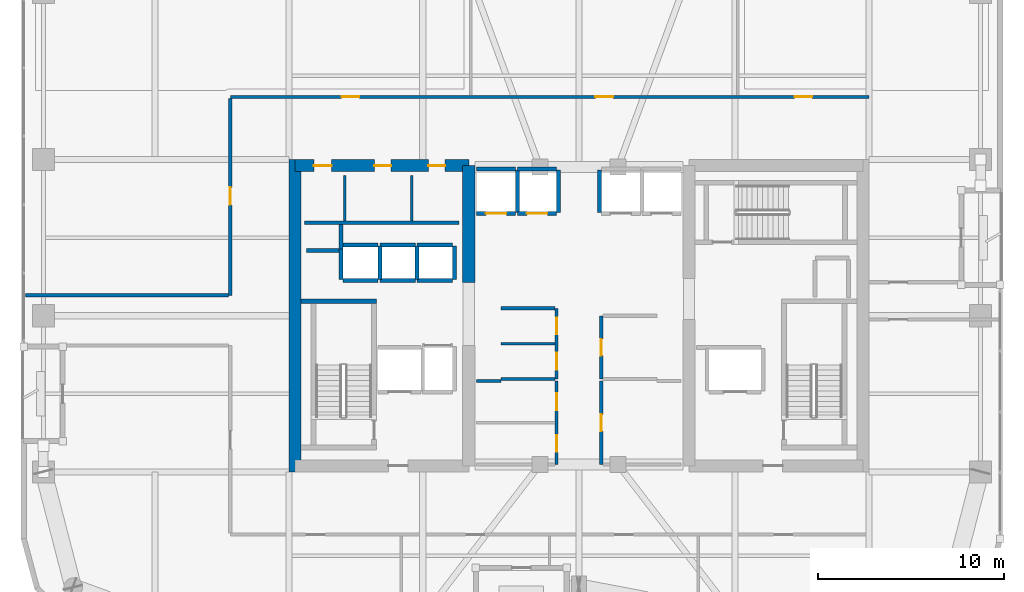
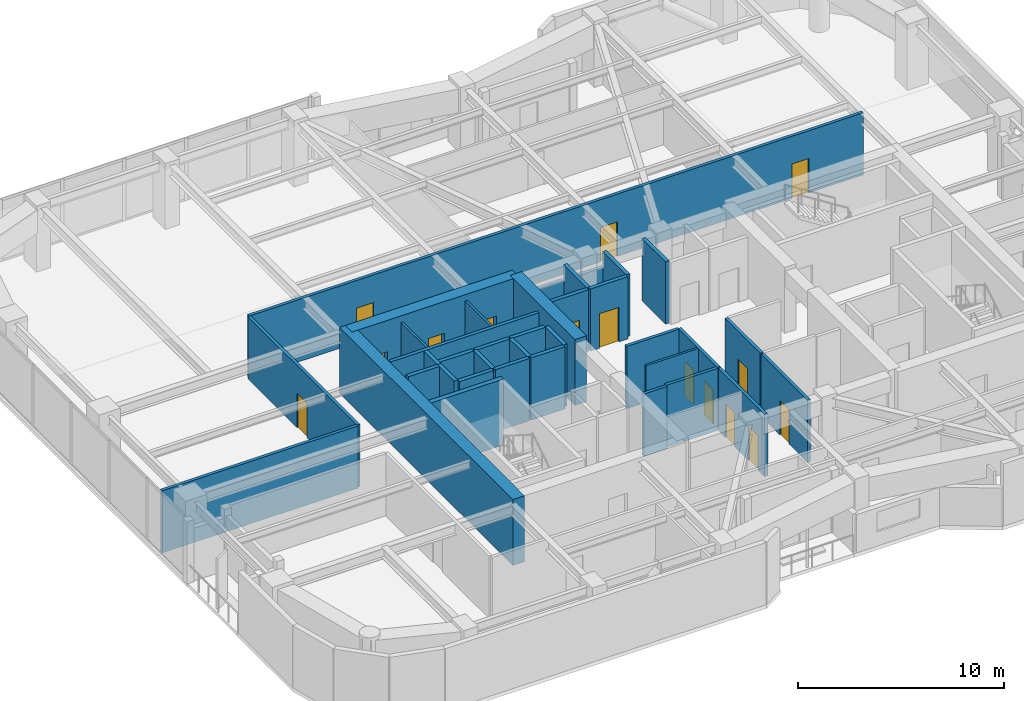
# One storey, part 25 of 30: 37 walls, 15 doors, 15 openings.
"""IFC4 building model written with IfcOpenShell, lengths in metres."""

from ifc_helpers import new_model, si_unit, direction, frame, frame_2d, origin, place, context, subcontext, project, spatial, rectangle, extrude, material, layer, layer_set, type_object, element, fill, save


model = new_model("IFC4")

# Units and contexts
model_context = context("Model", 3, precision=1e-05, world=origin(), true_north=direction((0.0, 1.0)))
body_context = subcontext(model_context, "Body", "Model", "MODEL_VIEW")
ifc_project = project(units=[si_unit("LENGTHUNIT", "METRE"), si_unit("AREAUNIT", "SQUARE_METRE"), si_unit("VOLUMEUNIT", "CUBIC_METRE"), si_unit("PLANEANGLEUNIT", "RADIAN"), si_unit("MASSUNIT", "GRAM", prefix="KILO")], contexts=[model_context])

# Site, building, storey
site_placement = place(None, origin())
site = spatial("IfcSite", under=ifc_project, at=site_placement, CompositionType="ELEMENT")
building_placement = place(site_placement, origin())
building = spatial("IfcBuilding", under=site, at=building_placement, Name="Kiyonajd Concourse Tower", CompositionType="ELEMENT")
storey_placement = place(building_placement, frame((0.0, 0.0, 198.0)))
storey = spatial("IfcBuildingStorey", under=building, at=storey_placement, Name="L50", CompositionType="ELEMENT", Elevation=198.0)

# Walls
ifc_material_1 = material(Name="Concrete C60/75", Category="concrete")
ifc_layer_1 = layer(ifc_material_1, 0.64990234375)
ifc_layer_set_1 = layer_set([ifc_layer_1], Name="Concrete C60/75")
wall_type_1 = type_object("IfcWallType", Name="WL-CORE-650", PredefinedType="SHEAR", material=ifc_layer_set_1)
wall_1_placement = place(storey_placement, frame((32.72509765625, 27.60009765625, 0.0), z_axis=(0.0, 0.0, 1.0), x_axis=(0.0, 1.0, 0.0)))
element("IfcWall", 1, at=wall_1_placement, inside=storey, type_object=wall_type_1, Name="L50 West Core Outer Shear Wall", PredefinedType="SHEAR", context=body_context, shape_type="SweptSolid", body=[
    extrude(rectangle(XDim=16.7998046875, YDim=0.64990234375, at=frame_2d((8.39990234375, 0.0))), origin(), (0.0, 0.0, 1.0), 3.89990234375),
])
wall_2_placement = place(storey_placement, frame((42.074951171875, 37.800048828125, 0.0), z_axis=(0.0, 0.0, 1.0), x_axis=(0.0, 1.0, 0.0)))
element("IfcWall", 2, at=wall_2_placement, inside=storey, type_object=wall_type_1, Name="L50 West Core Inner North Shear Wall", PredefinedType="SHEAR", context=body_context, shape_type="SweptSolid", body=[
    extrude(rectangle(XDim=6.27490234375, YDim=0.64990234375, at=frame_2d((3.137451171875, 0.0))), origin(), (0.0, 0.0, 1.0), 3.89990234375),
])

# Wall, openings, doors
wall_3_placement = place(storey_placement, frame((32.72509765625, 44.074951171875, 0.0), z_axis=(0.0, 0.0, 1.0), x_axis=(1.0, 0.0, 0.0)))
wall_3 = element("IfcWall", 3, at=wall_3_placement, inside=storey, type_object=wall_type_1, Name="L50 West Core North Shear Wall", PredefinedType="SHEAR", context=body_context, shape_type="SweptSolid", body=[
    extrude(rectangle(XDim=9.349853515625, YDim=0.64990234375, at=frame_2d((4.6748046875, 0.0))), origin(), (0.0, 0.0, 1.0), 3.89990234375),
])
opening_1_placement = place(wall_3_placement, frame((1.02490234375, 0.0, 0.0)))
opening_1 = element("IfcOpeningElement", 4, at=opening_1_placement, cuts=wall_3, Name="Opening DI1", PredefinedType="OPENING", context=body_context, shape_type="SweptSolid", body=[
    extrude(rectangle(XDim=0.949951171875, YDim=2.0400390625, at=frame_2d((0.47509765625, 1.02001953125))), frame((0.0, 0.3349609375, 0.0), z_axis=(0.0, -1.0, 0.0), x_axis=(1.0, 0.0, 0.0)), (0.0, 0.0, 1.0), 0.669921875),
])
opening_2_placement = place(wall_3_placement, frame((4.27490234375, 0.0, 0.0)))
opening_2 = element("IfcOpeningElement", 5, at=opening_2_placement, cuts=wall_3, Name="Opening DI2", PredefinedType="OPENING", context=body_context, shape_type="SweptSolid", body=[
    extrude(rectangle(XDim=0.89990234375, YDim=2.02001953125, at=frame_2d((0.449951171875, 1.010009765625))), frame((0.0, 0.3349609375, 0.0), z_axis=(0.0, -1.0, 0.0), x_axis=(1.0, 0.0, 0.0)), (0.0, 0.0, 1.0), 0.669921875),
])
opening_3_placement = place(wall_3_placement, frame((7.175048828125, 0.0, 0.0)))
opening_3 = element("IfcOpeningElement", 6, at=opening_3_placement, cuts=wall_3, Name="Opening DI2", PredefinedType="OPENING", context=body_context, shape_type="SweptSolid", body=[
    extrude(rectangle(XDim=0.89990234375, YDim=2.02001953125, at=frame_2d((0.449951171875, 1.010009765625))), frame((0.0, 0.3349609375, 0.0), z_axis=(0.0, -1.0, 0.0), x_axis=(1.0, 0.0, 0.0)), (0.0, 0.0, 1.0), 0.669921875),
])
ifc_material_2 = material(Name="Natural Oak Acoustic Timber Veneer", Category="wood")
door_type_1 = type_object("IfcDoorType", Name="DR-INT-900", OperationType="NOTDEFINED", PredefinedType="DOOR", material=ifc_material_2)
door_1_placement = place(opening_2_placement, origin())
door_1 = element("IfcDoor", 7, at=door_1_placement, inside=storey, type_object=door_type_1, Name="L50 Male Restroom Door", OperationType="SINGLE_SWING_RIGHT", OverallHeight=2.02001953125, OverallWidth=0.89990234375, PredefinedType="DOOR", context=body_context, shape_type="SweptSolid", body=[
    extrude(rectangle(XDim=0.89990234375, YDim=2.02001953125, at=frame_2d((0.449951171875, 1.010009765625))), frame((0.0, 0.02490234375, 0.0), z_axis=(0.0, -1.0, 0.0), x_axis=(1.0, 0.0, 0.0)), (0.0, 0.0, 1.0), 0.050048828125),
])
fill(opening_2, door_1)
door_2_placement = place(opening_3_placement, origin())
door_2 = element("IfcDoor", 8, at=door_2_placement, inside=storey, type_object=door_type_1, Name="L50 Female Restroom Door", OperationType="SINGLE_SWING_LEFT", OverallHeight=2.02001953125, OverallWidth=0.89990234375, PredefinedType="DOOR", context=body_context, shape_type="SweptSolid", body=[
    extrude(rectangle(XDim=0.89990234375, YDim=2.02001953125, at=frame_2d((0.449951171875, 1.010009765625))), frame((0.0, 0.02490234375, 0.0), z_axis=(0.0, -1.0, 0.0), x_axis=(1.0, 0.0, 0.0)), (0.0, 0.0, 1.0), 0.050048828125),
])
fill(opening_3, door_2)
door_type_2 = type_object("IfcDoorType", Name="DR-INT-950", OperationType="NOTDEFINED", PredefinedType="DOOR", material=ifc_material_2)
door_3_placement = place(opening_1_placement, origin())
door_3 = element("IfcDoor", 9, at=door_3_placement, inside=storey, type_object=door_type_2, Name="L50 Single User Accessible WC Door", OperationType="SINGLE_SWING_LEFT", OverallHeight=2.0400390625, OverallWidth=0.949951171875, PredefinedType="DOOR", context=body_context, shape_type="SweptSolid", body=[
    extrude(rectangle(XDim=0.949951171875, YDim=2.0400390625, at=frame_2d((0.47509765625, 1.02001953125))), frame((0.0, 0.02490234375, 0.0), z_axis=(0.0, -1.0, 0.0), x_axis=(1.0, 0.0, 0.0)), (0.0, 0.0, 1.0), 0.050048828125),
])
fill(opening_1, door_3)

# Walls
ifc_material_3 = material(Name="Gypsum Board on Cold-Formed Steel Stud", Category="steel")
ifc_layer_2 = layer(ifc_material_3, 0.125)
ifc_layer_set_2 = layer_set([ifc_layer_2], Name="Gypsum Board on Cold-Formed Steel Stud")
wall_type_2 = type_object("IfcWallType", Name="WL-PART-125", PredefinedType="PARTITIONING", material=ifc_layer_set_2)
for number, where, z_axis, x_axis, name in (
    (10, (35.39990234375, 41.094970703125, 0.0), (0.0, 0.0, 1.0), (0.0, 1.0, 0.0), "L50 Interior Partition Wall"),
    (11, (39.0, 41.094970703125, 0.0), (0.0, 0.0, 1.0), (0.0, 1.0, 0.0), "L50 Interior Partition Wall"),
):
    element("IfcWall", number, at=place(storey_placement, frame(where, z_axis=z_axis, x_axis=x_axis)), inside=storey, type_object=wall_type_2, Name=name, PredefinedType="PARTITIONING", context=body_context, shape_type="SweptSolid", body=[
        extrude(rectangle(XDim=2.455078125, YDim=0.125, at=frame_2d((1.2275390625, 0.0))), origin(), (0.0, 0.0, 1.0), 3.679931640625),
    ])
wall_4_placement = place(storey_placement, frame((43.800048828125, 34.5, 0.0), z_axis=(0.0, 0.0, 1.0), x_axis=(1.0, 0.0, 0.0)))
element("IfcWall", 12, at=wall_4_placement, inside=storey, type_object=wall_type_2, Name="L50 Interior Partition Wall", PredefinedType="PARTITIONING", context=body_context, shape_type="SweptSolid", body=[
    extrude(rectangle(XDim=2.912841796875, YDim=0.125, at=frame_2d((1.45654296875, 0.0))), origin(), (0.0, 0.0, 1.0), 3.679931640625),
])
ifc_layer_3 = layer(ifc_material_3, 0.18994140625)
ifc_layer_set_3 = layer_set([ifc_layer_3], Name="Gypsum Board on Cold-Formed Steel Stud")
wall_type_3 = type_object("IfcWallType", Name="WL-PLMB-190", PredefinedType="PLUMBINGWALL", material=ifc_layer_set_3)
wall_5_placement = place(storey_placement, frame((33.25, 41.0, 0.0), z_axis=(0.0, 0.0, 1.0), x_axis=(1.0, 0.0, 0.0)))
element("IfcWall", 13, at=wall_5_placement, inside=storey, type_object=wall_type_3, Name="L50 Interior Partition Wall", PredefinedType="PLUMBINGWALL", context=body_context, shape_type="SweptSolid", body=[
    extrude(rectangle(XDim=8.300048828125, YDim=0.18994140625, at=frame_2d((4.14990234375, 0.0))), origin(), (0.0, 0.0, 1.0), 3.679931640625),
])
ifc_layer_4 = layer(ifc_material_3, 0.2099609375)
ifc_layer_set_4 = layer_set([ifc_layer_4], Name="Gypsum Board on Cold-Formed Steel Stud")
wall_type_4 = type_object("IfcWallType", Name="WL-SHAFT-210", PredefinedType="PARTITIONING", material=ifc_layer_set_4)
wall_6_placement = place(storey_placement, frame((33.360107421875, 39.5, 0.0), z_axis=(0.0, 0.0, 1.0), x_axis=(1.0, 0.0, 0.0)))
element("IfcWall", 14, at=wall_6_placement, inside=storey, type_object=wall_type_4, Name="L50 Shaft Enclosure Wall", PredefinedType="PARTITIONING", context=body_context, shape_type="SweptSolid", body=[
    extrude(rectangle(XDim=1.85986328125, YDim=0.2099609375, at=frame_2d((0.929931640625, 0.0))), origin(), (0.0, 0.0, 1.0), 3.679931640625),
])
wall_7_placement = place(storey_placement, frame((35.199951171875, 39.580078125, 0.0), z_axis=(0.0, 0.0, 1.0), x_axis=(0.0, 1.0, 0.0)))
element("IfcWall", 15, at=wall_7_placement, inside=storey, type_object=wall_type_4, Name="L50 Shaft Enclosure Wall", PredefinedType="PARTITIONING", context=body_context, shape_type="SweptSolid", body=[
    extrude(rectangle(XDim=1.31982421875, YDim=0.2099609375, at=frame_2d((0.659912109375, 0.0))), origin(), (0.0, 0.0, 1.0), 3.679931640625),
])

# Wall, opening, door
wall_8_placement = place(storey_placement, frame((42.5, 41.5, 0.0), z_axis=(0.0, 0.0, 1.0), x_axis=(1.0, 0.0, 0.0)))
wall_8 = element("IfcWall", 16, at=wall_8_placement, inside=storey, type_object=wall_type_4, Name="L50 Shaft Enclosure Wall", PredefinedType="PARTITIONING", context=body_context, shape_type="SweptSolid", body=[
    extrude(rectangle(XDim=2.10009765625, YDim=0.2099609375, at=frame_2d((1.050048828125, 0.0))), origin(), (0.0, 0.0, 1.0), 3.679931640625),
])
opening_4_placement = place(wall_8_placement, frame((0.5, 0.0, 0.0)))
opening_4 = element("IfcOpeningElement", 17, at=opening_4_placement, cuts=wall_8, Name="Opening LD1", PredefinedType="OPENING", context=body_context, shape_type="SweptSolid", body=[
    extrude(rectangle(XDim=1.10009765625, YDim=2.0400390625, at=frame_2d((0.550048828125, 1.02001953125))), frame((0.0, 0.114990234375, 0.0), z_axis=(0.0, -1.0, 0.0), x_axis=(1.0, 0.0, 0.0)), (0.0, 0.0, 1.0), 0.22998046875),
])
ifc_material_4 = material(Name="Brushed Stainless Steel Cab Assembly", Category="steel")
door_type_3 = type_object("IfcDoorType", Name="DR-LD-1100", OperationType="DOUBLE_DOOR_SLIDING", PredefinedType="DOOR", material=ifc_material_4)
door_4_placement = place(opening_4_placement, origin())
door_4 = element("IfcDoor", 18, at=door_4_placement, inside=storey, type_object=door_type_3, Name="L50 Lift PL-M1 Sliding Landing Door", OperationType="DOUBLE_DOOR_SLIDING", OverallHeight=2.0400390625, OverallWidth=1.10009765625, PredefinedType="DOOR", context=body_context, shape_type="SweptSolid", body=[
    extrude(rectangle(XDim=1.10009765625, YDim=2.0400390625, at=frame_2d((0.550048828125, 1.02001953125))), frame((0.0, 0.02490234375, 0.0), z_axis=(0.0, -1.0, 0.0), x_axis=(1.0, 0.0, 0.0)), (0.0, 0.0, 1.0), 0.050048828125),
])
fill(opening_4, door_4)

# Walls
wall_9_placement = place(storey_placement, frame((42.5, 43.89990234375, 0.0), z_axis=(0.0, 0.0, 1.0), x_axis=(1.0, 0.0, 0.0)))
element("IfcWall", 19, at=wall_9_placement, inside=storey, type_object=wall_type_4, Name="L50 Shaft Enclosure Wall", PredefinedType="PARTITIONING", context=body_context, shape_type="SweptSolid", body=[
    extrude(rectangle(XDim=2.10009765625, YDim=0.2099609375, at=frame_2d((1.050048828125, 0.0))), origin(), (0.0, 0.0, 1.0), 2.764892578125),
])
wall_10_placement = place(storey_placement, frame((44.699951171875, 41.56005859375, 0.0), z_axis=(0.0, 0.0, 1.0), x_axis=(0.0, 1.0, 0.0)))
element("IfcWall", 20, at=wall_10_placement, inside=storey, type_object=wall_type_4, Name="L50 Shaft Enclosure Wall", PredefinedType="PARTITIONING", context=body_context, shape_type="SweptSolid", body=[
    extrude(rectangle(XDim=2.280029296875, YDim=0.2099609375, at=frame_2d((1.14013671875, 0.0))), origin(), (0.0, 0.0, 1.0), 3.679931640625),
])

# Wall, opening, door
wall_11_placement = place(storey_placement, frame((44.699951171875, 41.5, 0.0), z_axis=(0.0, 0.0, 1.0), x_axis=(1.0, 0.0, 0.0)))
wall_11 = element("IfcWall", 21, at=wall_11_placement, inside=storey, type_object=wall_type_4, Name="L50 Shaft Enclosure Wall", PredefinedType="PARTITIONING", context=body_context, shape_type="SweptSolid", body=[
    extrude(rectangle(XDim=2.10009765625, YDim=0.2099609375, at=frame_2d((1.050048828125, 0.0))), origin(), (0.0, 0.0, 1.0), 3.679931640625),
])
opening_5_placement = place(wall_11_placement, frame((0.5, 0.0, 0.0)))
opening_5 = element("IfcOpeningElement", 22, at=opening_5_placement, cuts=wall_11, Name="Opening LD1", PredefinedType="OPENING", context=body_context, shape_type="SweptSolid", body=[
    extrude(rectangle(XDim=1.10009765625, YDim=2.0400390625, at=frame_2d((0.550048828125, 1.02001953125))), frame((0.0, 0.114990234375, 0.0), z_axis=(0.0, -1.0, 0.0), x_axis=(1.0, 0.0, 0.0)), (0.0, 0.0, 1.0), 0.22998046875),
])
door_5_placement = place(opening_5_placement, origin())
door_5 = element("IfcDoor", 23, at=door_5_placement, inside=storey, type_object=door_type_3, Name="L50 Lift PL-M2 Sliding Landing Door", OperationType="DOUBLE_DOOR_SLIDING", OverallHeight=2.0400390625, OverallWidth=1.10009765625, PredefinedType="DOOR", context=body_context, shape_type="SweptSolid", body=[
    extrude(rectangle(XDim=1.10009765625, YDim=2.0400390625, at=frame_2d((0.550048828125, 1.02001953125))), frame((0.0, 0.02490234375, 0.0), z_axis=(0.0, -1.0, 0.0), x_axis=(1.0, 0.0, 0.0)), (0.0, 0.0, 1.0), 0.050048828125),
])
fill(opening_5, door_5)

# Walls
wall_12_placement = place(storey_placement, frame((44.699951171875, 43.89990234375, 0.0), z_axis=(0.0, 0.0, 1.0), x_axis=(1.0, 0.0, 0.0)))
element("IfcWall", 24, at=wall_12_placement, inside=storey, type_object=wall_type_4, Name="L50 Shaft Enclosure Wall", PredefinedType="PARTITIONING", context=body_context, shape_type="SweptSolid", body=[
    extrude(rectangle(XDim=2.10009765625, YDim=0.2099609375, at=frame_2d((1.050048828125, 0.0))), origin(), (0.0, 0.0, 1.0), 2.764892578125),
])
for number, where, z_axis, x_axis, name in (
    (25, (46.89990234375, 41.56005859375, 0.0), (0.0, 0.0, 1.0), (0.0, 1.0, 0.0), "L50 Shaft Enclosure Wall"),
    (26, (49.10009765625, 41.56005859375, 0.0), (0.0, 0.0, 1.0), (0.0, 1.0, 0.0), "L50 Shaft Enclosure Wall"),
):
    element("IfcWall", number, at=place(storey_placement, frame(where, z_axis=z_axis, x_axis=x_axis)), inside=storey, type_object=wall_type_4, Name=name, PredefinedType="PARTITIONING", context=body_context, shape_type="SweptSolid", body=[
        extrude(rectangle(XDim=2.280029296875, YDim=0.2099609375, at=frame_2d((1.14013671875, 0.0))), origin(), (0.0, 0.0, 1.0), 3.679931640625),
    ])
for number, where, z_axis, x_axis, name in (
    (27, (35.300048828125, 37.89990234375, 0.0), (0.0, 0.0, 1.0), (1.0, 0.0, 0.0), "L50 Shaft Enclosure Wall"),
    (28, (35.300048828125, 39.800048828125, 0.0), (0.0, 0.0, 1.0), (1.0, 0.0, 0.0), "L50 Shaft Enclosure Wall"),
):
    element("IfcWall", number, at=place(storey_placement, frame(where, z_axis=z_axis, x_axis=x_axis)), inside=storey, type_object=wall_type_4, Name=name, PredefinedType="PARTITIONING", context=body_context, shape_type="SweptSolid", body=[
        extrude(rectangle(XDim=1.89990234375, YDim=0.2099609375, at=frame_2d((0.949951171875, 0.0))), origin(), (0.0, 0.0, 1.0), 3.679931640625),
    ])
wall_13_placement = place(storey_placement, frame((35.199951171875, 37.9599609375, 0.0), z_axis=(0.0, 0.0, 1.0), x_axis=(0.0, 1.0, 0.0)))
element("IfcWall", 29, at=wall_13_placement, inside=storey, type_object=wall_type_4, Name="L50 Shaft Enclosure Wall", PredefinedType="PARTITIONING", context=body_context, shape_type="SweptSolid", body=[
    extrude(rectangle(XDim=1.6201171875, YDim=0.2099609375, at=frame_2d((0.81005859375, 0.0))), origin(), (0.0, 0.0, 1.0), 3.679931640625),
])
wall_14_placement = place(storey_placement, frame((37.300048828125, 37.9599609375, 0.0), z_axis=(0.0, 0.0, 1.0), x_axis=(0.0, 1.0, 0.0)))
element("IfcWall", 30, at=wall_14_placement, inside=storey, type_object=wall_type_4, Name="L50 Shaft Enclosure Wall", PredefinedType="PARTITIONING", context=body_context, shape_type="SweptSolid", body=[
    extrude(rectangle(XDim=1.780029296875, YDim=0.2099609375, at=frame_2d((0.89013671875, 0.0))), origin(), (0.0, 0.0, 1.0), 3.679931640625),
])
for number, where, z_axis, x_axis, name in (
    (31, (37.300048828125, 37.89990234375, 0.0), (0.0, 0.0, 1.0), (1.0, 0.0, 0.0), "L50 Shaft Enclosure Wall"),
    (32, (37.300048828125, 39.800048828125, 0.0), (0.0, 0.0, 1.0), (1.0, 0.0, 0.0), "L50 Shaft Enclosure Wall"),
):
    element("IfcWall", number, at=place(storey_placement, frame(where, z_axis=z_axis, x_axis=x_axis)), inside=storey, type_object=wall_type_4, Name=name, PredefinedType="PARTITIONING", context=body_context, shape_type="SweptSolid", body=[
        extrude(rectangle(XDim=1.89990234375, YDim=0.2099609375, at=frame_2d((0.949951171875, 0.0))), origin(), (0.0, 0.0, 1.0), 3.679931640625),
    ])
wall_15_placement = place(storey_placement, frame((39.300048828125, 37.9599609375, 0.0), z_axis=(0.0, 0.0, 1.0), x_axis=(0.0, 1.0, 0.0)))
element("IfcWall", 33, at=wall_15_placement, inside=storey, type_object=wall_type_4, Name="L50 Shaft Enclosure Wall", PredefinedType="PARTITIONING", context=body_context, shape_type="SweptSolid", body=[
    extrude(rectangle(XDim=1.780029296875, YDim=0.2099609375, at=frame_2d((0.89013671875, 0.0))), origin(), (0.0, 0.0, 1.0), 3.679931640625),
])
for number, where, z_axis, x_axis, name in (
    (34, (39.300048828125, 37.89990234375, 0.0), (0.0, 0.0, 1.0), (1.0, 0.0, 0.0), "L50 Shaft Enclosure Wall"),
    (35, (39.300048828125, 39.800048828125, 0.0), (0.0, 0.0, 1.0), (1.0, 0.0, 0.0), "L50 Shaft Enclosure Wall"),
):
    element("IfcWall", number, at=place(storey_placement, frame(where, z_axis=z_axis, x_axis=x_axis)), inside=storey, type_object=wall_type_4, Name=name, PredefinedType="PARTITIONING", context=body_context, shape_type="SweptSolid", body=[
        extrude(rectangle(XDim=1.89990234375, YDim=0.2099609375, at=frame_2d((0.949951171875, 0.0))), origin(), (0.0, 0.0, 1.0), 3.679931640625),
    ])
wall_16_placement = place(storey_placement, frame((41.300048828125, 37.9599609375, 0.0), z_axis=(0.0, 0.0, 1.0), x_axis=(0.0, 1.0, 0.0)))
element("IfcWall", 36, at=wall_16_placement, inside=storey, type_object=wall_type_4, Name="L50 Shaft Enclosure Wall", PredefinedType="PARTITIONING", context=body_context, shape_type="SweptSolid", body=[
    extrude(rectangle(XDim=1.780029296875, YDim=0.2099609375, at=frame_2d((0.89013671875, 0.0))), origin(), (0.0, 0.0, 1.0), 3.679931640625),
])

# Wall, openings, doors
ifc_layer_5 = layer(ifc_material_3, 0.169921875)
ifc_layer_set_5 = layer_set([ifc_layer_5], Name="Gypsum Board on Cold-Formed Steel Stud")
wall_type_5 = type_object("IfcWallType", Name="WL-SMK-170", PredefinedType="PARTITIONING", material=ifc_layer_set_5)
wall_17_placement = place(storey_placement, frame((46.800048828125, 32.60009765625, 0.0), z_axis=(0.0, 0.0, 1.0), x_axis=(0.0, 1.0, 0.0)))
wall_17 = element("IfcWall", 37, at=wall_17_placement, inside=storey, type_object=wall_type_5, Name="L50 Interior Partition Wall", PredefinedType="PARTITIONING", context=body_context, shape_type="SweptSolid", body=[
    extrude(rectangle(XDim=3.7998046875, YDim=0.169921875, at=frame_2d((1.89990234375, 0.0))), origin(), (0.0, 0.0, 1.0), 3.679931640625),
])
opening_6_placement = place(wall_17_placement, frame((0.5, 0.0, 0.0)))
opening_6 = element("IfcOpeningElement", 38, at=opening_6_placement, cuts=wall_17, Name="Opening DI2", PredefinedType="OPENING", context=body_context, shape_type="SweptSolid", body=[
    extrude(rectangle(XDim=0.89990234375, YDim=2.02001953125, at=frame_2d((0.449951171875, 1.010009765625))), frame((0.0, 0.094970703125, 0.0), z_axis=(0.0, -1.0, 0.0), x_axis=(1.0, 0.0, 0.0)), (0.0, 0.0, 1.0), 0.18994140625),
])
opening_7_placement = place(wall_17_placement, frame((2.39990234375, 0.0, 0.0)))
opening_7 = element("IfcOpeningElement", 39, at=opening_7_placement, cuts=wall_17, Name="Opening DI2", PredefinedType="OPENING", context=body_context, shape_type="SweptSolid", body=[
    extrude(rectangle(XDim=0.89990234375, YDim=2.02001953125, at=frame_2d((0.449951171875, 1.010009765625))), frame((0.0, 0.094970703125, 0.0), z_axis=(0.0, -1.0, 0.0), x_axis=(1.0, 0.0, 0.0)), (0.0, 0.0, 1.0), 0.18994140625),
])
door_6_placement = place(opening_6_placement, origin())
door_6 = element("IfcDoor", 40, at=door_6_placement, inside=storey, type_object=door_type_1, Name="L50 Interior Door", OperationType="SINGLE_SWING_RIGHT", OverallHeight=2.02001953125, OverallWidth=0.89990234375, PredefinedType="DOOR", context=body_context, shape_type="SweptSolid", body=[
    extrude(rectangle(XDim=0.89990234375, YDim=2.02001953125, at=frame_2d((0.449951171875, 1.010009765625))), frame((0.0, 0.02490234375, 0.0), z_axis=(0.0, -1.0, 0.0), x_axis=(1.0, 0.0, 0.0)), (0.0, 0.0, 1.0), 0.050048828125),
])
fill(opening_6, door_6)
door_7_placement = place(opening_7_placement, origin())
door_7 = element("IfcDoor", 41, at=door_7_placement, inside=storey, type_object=door_type_1, Name="L50 Interior Door", OperationType="SINGLE_SWING_LEFT", OverallHeight=2.02001953125, OverallWidth=0.89990234375, PredefinedType="DOOR", context=body_context, shape_type="SweptSolid", body=[
    extrude(rectangle(XDim=0.89990234375, YDim=2.02001953125, at=frame_2d((0.449951171875, 1.010009765625))), frame((0.0, 0.02490234375, 0.0), z_axis=(0.0, -1.0, 0.0), x_axis=(1.0, 0.0, 0.0)), (0.0, 0.0, 1.0), 0.050048828125),
])
fill(opening_7, door_7)

# Walls
for number, where, z_axis, x_axis, name in (
    (42, (43.800048828125, 32.60009765625, 0.0), (0.0, 0.0, 1.0), (1.0, 0.0, 0.0), "L50 Interior Partition Wall"),
    (43, (43.800048828125, 36.39990234375, 0.0), (0.0, 0.0, 1.0), (1.0, 0.0, 0.0), "L50 Interior Partition Wall"),
):
    element("IfcWall", number, at=place(storey_placement, frame(where, z_axis=z_axis, x_axis=x_axis)), inside=storey, type_object=wall_type_5, Name=name, PredefinedType="PARTITIONING", context=body_context, shape_type="SweptSolid", body=[
        extrude(rectangle(XDim=2.912841796875, YDim=0.169921875, at=frame_2d((1.45654296875, 0.0))), origin(), (0.0, 0.0, 1.0), 3.679931640625),
    ])

# Wall, opening, door
wall_18_placement = place(storey_placement, frame((49.199951171875, 32.60009765625, 0.0), z_axis=(0.0, 0.0, 1.0), x_axis=(0.0, 1.0, 0.0)))
wall_18 = element("IfcWall", 44, at=wall_18_placement, inside=storey, type_object=wall_type_5, Name="L50 Interior Partition Wall", PredefinedType="PARTITIONING", context=body_context, shape_type="SweptSolid", body=[
    extrude(rectangle(XDim=3.39990234375, YDim=0.169921875, at=frame_2d((1.699951171875, 0.0))), origin(), (0.0, 0.0, 1.0), 3.679931640625),
])
opening_8_placement = place(wall_18_placement, frame((1.25, 0.0, 0.0)))
opening_8 = element("IfcOpeningElement", 45, at=opening_8_placement, cuts=wall_18, Name="Opening DI2", PredefinedType="OPENING", context=body_context, shape_type="SweptSolid", body=[
    extrude(rectangle(XDim=0.89990234375, YDim=2.02001953125, at=frame_2d((0.449951171875, 1.010009765625))), frame((0.0, 0.094970703125, 0.0), z_axis=(0.0, -1.0, 0.0), x_axis=(1.0, 0.0, 0.0)), (0.0, 0.0, 1.0), 0.18994140625),
])
door_8_placement = place(opening_8_placement, origin())
door_8 = element("IfcDoor", 46, at=door_8_placement, inside=storey, type_object=door_type_1, Name="L50 Interior Door", OperationType="SINGLE_SWING_RIGHT", OverallHeight=2.02001953125, OverallWidth=0.89990234375, PredefinedType="DOOR", context=body_context, shape_type="SweptSolid", body=[
    extrude(rectangle(XDim=0.89990234375, YDim=2.02001953125, at=frame_2d((0.449951171875, 1.010009765625))), frame((0.0, 0.02490234375, 0.0), z_axis=(0.0, -1.0, 0.0), x_axis=(1.0, 0.0, 0.0)), (0.0, 0.0, 1.0), 0.050048828125),
])
fill(opening_8, door_8)

# Wall, openings, doors
wall_19_placement = place(storey_placement, frame((46.800048828125, 28.0, 0.0), z_axis=(0.0, 0.0, 1.0), x_axis=(0.0, 1.0, 0.0)))
wall_19 = element("IfcWall", 47, at=wall_19_placement, inside=storey, type_object=wall_type_5, Name="L50 Interior Partition Wall", PredefinedType="PARTITIONING", context=body_context, shape_type="SweptSolid", body=[
    extrude(rectangle(XDim=4.5, YDim=0.169921875, at=frame_2d((2.25, 0.0))), origin(), (0.0, 0.0, 1.0), 3.679931640625),
])
opening_9_placement = place(wall_19_placement, frame((0.675048828125, 0.0, 0.0)))
opening_9 = element("IfcOpeningElement", 48, at=opening_9_placement, cuts=wall_19, Name="Opening DI2", PredefinedType="OPENING", context=body_context, shape_type="SweptSolid", body=[
    extrude(rectangle(XDim=0.89990234375, YDim=2.02001953125, at=frame_2d((0.449951171875, 1.010009765625))), frame((0.0, 0.094970703125, 0.0), z_axis=(0.0, -1.0, 0.0), x_axis=(1.0, 0.0, 0.0)), (0.0, 0.0, 1.0), 0.18994140625),
])
opening_10_placement = place(wall_19_placement, frame((2.925048828125, 0.0, 0.0)))
opening_10 = element("IfcOpeningElement", 49, at=opening_10_placement, cuts=wall_19, Name="Opening DI2", PredefinedType="OPENING", context=body_context, shape_type="SweptSolid", body=[
    extrude(rectangle(XDim=0.89990234375, YDim=2.02001953125, at=frame_2d((0.449951171875, 1.010009765625))), frame((0.0, 0.094970703125, 0.0), z_axis=(0.0, -1.0, 0.0), x_axis=(1.0, 0.0, 0.0)), (0.0, 0.0, 1.0), 0.18994140625),
])
door_9_placement = place(opening_9_placement, origin())
door_9 = element("IfcDoor", 50, at=door_9_placement, inside=storey, type_object=door_type_1, Name="L50 Interior Door", OperationType="SINGLE_SWING_LEFT", OverallHeight=2.02001953125, OverallWidth=0.89990234375, PredefinedType="DOOR", context=body_context, shape_type="SweptSolid", body=[
    extrude(rectangle(XDim=0.89990234375, YDim=2.02001953125, at=frame_2d((0.449951171875, 1.010009765625))), frame((0.0, 0.02490234375, 0.0), z_axis=(0.0, -1.0, 0.0), x_axis=(1.0, 0.0, 0.0)), (0.0, 0.0, 1.0), 0.050048828125),
])
fill(opening_9, door_9)
door_10_placement = place(opening_10_placement, origin())
door_10 = element("IfcDoor", 51, at=door_10_placement, inside=storey, type_object=door_type_1, Name="L50 Interior Door", OperationType="SINGLE_SWING_RIGHT", OverallHeight=2.02001953125, OverallWidth=0.89990234375, PredefinedType="DOOR", context=body_context, shape_type="SweptSolid", body=[
    extrude(rectangle(XDim=0.89990234375, YDim=2.02001953125, at=frame_2d((0.449951171875, 1.010009765625))), frame((0.0, 0.02490234375, 0.0), z_axis=(0.0, -1.0, 0.0), x_axis=(1.0, 0.0, 0.0)), (0.0, 0.0, 1.0), 0.050048828125),
])
fill(opening_10, door_10)

# Wall
wall_20_placement = place(storey_placement, frame((42.5, 32.5, 0.0), z_axis=(0.0, 0.0, 1.0), x_axis=(1.0, 0.0, 0.0)))
element("IfcWall", 52, at=wall_20_placement, inside=storey, type_object=wall_type_5, Name="L50 Interior Partition Wall", PredefinedType="PARTITIONING", context=body_context, shape_type="SweptSolid", body=[
    extrude(rectangle(XDim=1.300048828125, YDim=0.169921875, at=frame_2d((0.64990234375, 0.0))), origin(), (0.0, 0.0, 1.0), 3.679931640625),
])

# Wall, opening, door
wall_21_placement = place(storey_placement, frame((49.199951171875, 28.0, 0.0), z_axis=(0.0, 0.0, 1.0), x_axis=(0.0, 1.0, 0.0)))
wall_21 = element("IfcWall", 53, at=wall_21_placement, inside=storey, type_object=wall_type_5, Name="L50 Interior Partition Wall", PredefinedType="PARTITIONING", context=body_context, shape_type="SweptSolid", body=[
    extrude(rectangle(XDim=4.5, YDim=0.169921875, at=frame_2d((2.25, 0.0))), origin(), (0.0, 0.0, 1.0), 3.679931640625),
])
opening_11_placement = place(wall_21_placement, frame((1.800048828125, 0.0, 0.0)))
opening_11 = element("IfcOpeningElement", 54, at=opening_11_placement, cuts=wall_21, Name="Opening DI2", PredefinedType="OPENING", context=body_context, shape_type="SweptSolid", body=[
    extrude(rectangle(XDim=0.89990234375, YDim=2.02001953125, at=frame_2d((0.449951171875, 1.010009765625))), frame((0.0, 0.094970703125, 0.0), z_axis=(0.0, -1.0, 0.0), x_axis=(1.0, 0.0, 0.0)), (0.0, 0.0, 1.0), 0.18994140625),
])
door_11_placement = place(opening_11_placement, origin())
door_11 = element("IfcDoor", 55, at=door_11_placement, inside=storey, type_object=door_type_1, Name="L50 Interior Door", OperationType="SINGLE_SWING_LEFT", OverallHeight=2.02001953125, OverallWidth=0.89990234375, PredefinedType="DOOR", context=body_context, shape_type="SweptSolid", body=[
    extrude(rectangle(XDim=0.89990234375, YDim=2.02001953125, at=frame_2d((0.449951171875, 1.010009765625))), frame((0.0, 0.02490234375, 0.0), z_axis=(0.0, -1.0, 0.0), x_axis=(1.0, 0.0, 0.0)), (0.0, 0.0, 1.0), 0.050048828125),
])
fill(opening_11, door_11)

# Wall, openings, doors
wall_22_placement = place(storey_placement, frame((29.25, 47.77001953125, 0.0), z_axis=(0.0, 0.0, 1.0), x_axis=(1.0, 0.0, 0.0)))
wall_22 = element("IfcWall", 56, at=wall_22_placement, inside=storey, type_object=wall_type_5, Name="L50 Interior Partition Wall", PredefinedType="PARTITIONING", context=body_context, shape_type="SweptSolid", body=[
    extrude(rectangle(XDim=34.35009765625, YDim=0.169921875, at=frame_2d((17.175048828125, 0.0))), origin(), (0.0, 0.0, 1.0), 3.679931640625),
])
opening_12_placement = place(wall_22_placement, frame((5.989990234375, 0.0, 0.0)))
opening_12 = element("IfcOpeningElement", 57, at=opening_12_placement, cuts=wall_22, Name="Opening DI1", PredefinedType="OPENING", context=body_context, shape_type="SweptSolid", body=[
    extrude(rectangle(XDim=0.949951171875, YDim=2.0400390625, at=frame_2d((0.47509765625, 1.02001953125))), frame((0.0, 0.094970703125, 0.0), z_axis=(0.0, -1.0, 0.0), x_axis=(1.0, 0.0, 0.0)), (0.0, 0.0, 1.0), 0.18994140625),
])
opening_13_placement = place(wall_22_placement, frame((19.635009765625, 0.0, 0.0)))
opening_13 = element("IfcOpeningElement", 58, at=opening_13_placement, cuts=wall_22, Name="Opening DI1", PredefinedType="OPENING", context=body_context, shape_type="SweptSolid", body=[
    extrude(rectangle(XDim=0.949951171875, YDim=2.0400390625, at=frame_2d((0.47509765625, 1.02001953125))), frame((0.0, 0.094970703125, 0.0), z_axis=(0.0, -1.0, 0.0), x_axis=(1.0, 0.0, 0.0)), (0.0, 0.0, 1.0), 0.18994140625),
])
opening_14_placement = place(wall_22_placement, frame((30.344970703125, 0.0, 0.0)))
opening_14 = element("IfcOpeningElement", 59, at=opening_14_placement, cuts=wall_22, Name="Opening DI1", PredefinedType="OPENING", context=body_context, shape_type="SweptSolid", body=[
    extrude(rectangle(XDim=0.949951171875, YDim=2.0400390625, at=frame_2d((0.47509765625, 1.02001953125))), frame((0.0, 0.094970703125, 0.0), z_axis=(0.0, -1.0, 0.0), x_axis=(1.0, 0.0, 0.0)), (0.0, 0.0, 1.0), 0.18994140625),
])
door_12_placement = place(opening_12_placement, origin())
door_12 = element("IfcDoor", 60, at=door_12_placement, inside=storey, type_object=door_type_2, Name="L50 Interior Door", OperationType="SINGLE_SWING_RIGHT", OverallHeight=2.0400390625, OverallWidth=0.949951171875, PredefinedType="DOOR", context=body_context, shape_type="SweptSolid", body=[
    extrude(rectangle(XDim=0.949951171875, YDim=2.0400390625, at=frame_2d((0.47509765625, 1.02001953125))), frame((0.0, 0.02490234375, 0.0), z_axis=(0.0, -1.0, 0.0), x_axis=(1.0, 0.0, 0.0)), (0.0, 0.0, 1.0), 0.050048828125),
])
fill(opening_12, door_12)
door_13_placement = place(opening_13_placement, origin())
door_13 = element("IfcDoor", 61, at=door_13_placement, inside=storey, type_object=door_type_2, Name="L50 Interior Door", OperationType="SINGLE_SWING_RIGHT", OverallHeight=2.0400390625, OverallWidth=0.949951171875, PredefinedType="DOOR", context=body_context, shape_type="SweptSolid", body=[
    extrude(rectangle(XDim=0.949951171875, YDim=2.0400390625, at=frame_2d((0.47509765625, 1.02001953125))), frame((0.0, 0.02490234375, 0.0), z_axis=(0.0, -1.0, 0.0), x_axis=(1.0, 0.0, 0.0)), (0.0, 0.0, 1.0), 0.050048828125),
])
fill(opening_13, door_13)
door_14_placement = place(opening_14_placement, origin())
door_14 = element("IfcDoor", 62, at=door_14_placement, inside=storey, type_object=door_type_2, Name="L50 Interior Door", OperationType="SINGLE_SWING_LEFT", OverallHeight=2.0400390625, OverallWidth=0.949951171875, PredefinedType="DOOR", context=body_context, shape_type="SweptSolid", body=[
    extrude(rectangle(XDim=0.949951171875, YDim=2.0400390625, at=frame_2d((0.47509765625, 1.02001953125))), frame((0.0, 0.02490234375, 0.0), z_axis=(0.0, -1.0, 0.0), x_axis=(1.0, 0.0, 0.0)), (0.0, 0.0, 1.0), 0.050048828125),
])
fill(opening_14, door_14)

# Wall, opening, door
wall_23_placement = place(storey_placement, frame((29.25, 37.10009765625, 0.0), z_axis=(0.0, 0.0, 1.0), x_axis=(0.0, 1.0, 0.0)))
wall_23 = element("IfcWall", 63, at=wall_23_placement, inside=storey, type_object=wall_type_5, Name="L50 Interior Partition Wall", PredefinedType="PARTITIONING", context=body_context, shape_type="SweptSolid", body=[
    extrude(rectangle(XDim=10.5830078125, YDim=0.169921875, at=frame_2d((5.29150390625, 0.0))), origin(), (0.0, 0.0, 1.0), 3.679931640625),
])
opening_15_placement = place(wall_23_placement, frame((4.860107421875, 0.0, 0.0)))
opening_15 = element("IfcOpeningElement", 64, at=opening_15_placement, cuts=wall_23, Name="Opening DI1", PredefinedType="OPENING", context=body_context, shape_type="SweptSolid", body=[
    extrude(rectangle(XDim=0.949951171875, YDim=2.0400390625, at=frame_2d((0.47509765625, 1.02001953125))), frame((0.0, 0.094970703125, 0.0), z_axis=(0.0, -1.0, 0.0), x_axis=(1.0, 0.0, 0.0)), (0.0, 0.0, 1.0), 0.18994140625),
])
door_15_placement = place(opening_15_placement, origin())
door_15 = element("IfcDoor", 65, at=door_15_placement, inside=storey, type_object=door_type_2, Name="L50 Interior Door", OperationType="SINGLE_SWING_LEFT", OverallHeight=2.0400390625, OverallWidth=0.949951171875, PredefinedType="DOOR", context=body_context, shape_type="SweptSolid", body=[
    extrude(rectangle(XDim=0.949951171875, YDim=2.0400390625, at=frame_2d((0.47509765625, 1.02001953125))), frame((0.0, 0.02490234375, 0.0), z_axis=(0.0, -1.0, 0.0), x_axis=(1.0, 0.0, 0.0)), (0.0, 0.0, 1.0), 0.050048828125),
])
fill(opening_15, door_15)

# Walls
wall_24_placement = place(storey_placement, frame((18.22509765625, 37.10009765625, 0.0), z_axis=(0.0, 0.0, 1.0), x_axis=(1.0, 0.0, 0.0)))
element("IfcWall", 66, at=wall_24_placement, inside=storey, type_object=wall_type_5, Name="L50 Interior Partition Wall", PredefinedType="PARTITIONING", context=body_context, shape_type="SweptSolid", body=[
    extrude(rectangle(XDim=10.93798828125, YDim=0.169921875, at=frame_2d((5.468994140625, 0.0))), origin(), (0.0, 0.0, 1.0), 3.679931640625),
])
ifc_material_5 = material(Name="Concrete C50/60", Category="concrete")
ifc_layer_6 = layer(ifc_material_5, 0.260009765625)
ifc_layer_set_6 = layer_set([ifc_layer_6], Name="Concrete C50/60")
wall_type_6 = type_object("IfcWallType", Name="WL-STAIR-260", PredefinedType="SHEAR", material=ifc_layer_set_6)
wall_25_placement = place(storey_placement, frame((33.050048828125, 36.780029296875, 0.0), z_axis=(0.0, 0.0, 1.0), x_axis=(1.0, 0.0, 0.0)))
element("IfcWall", 67, at=wall_25_placement, inside=storey, type_object=wall_type_6, Name="L50 Stair ST1 Structural North Wall", PredefinedType="SHEAR", context=body_context, shape_type="SweptSolid", body=[
    extrude(rectangle(XDim=4.06005859375, YDim=0.260009765625, at=frame_2d((2.030029296875, 0.0))), origin(), (0.0, 0.0, 1.0), 3.89990234375),
])

save(model, "model.ifc")
